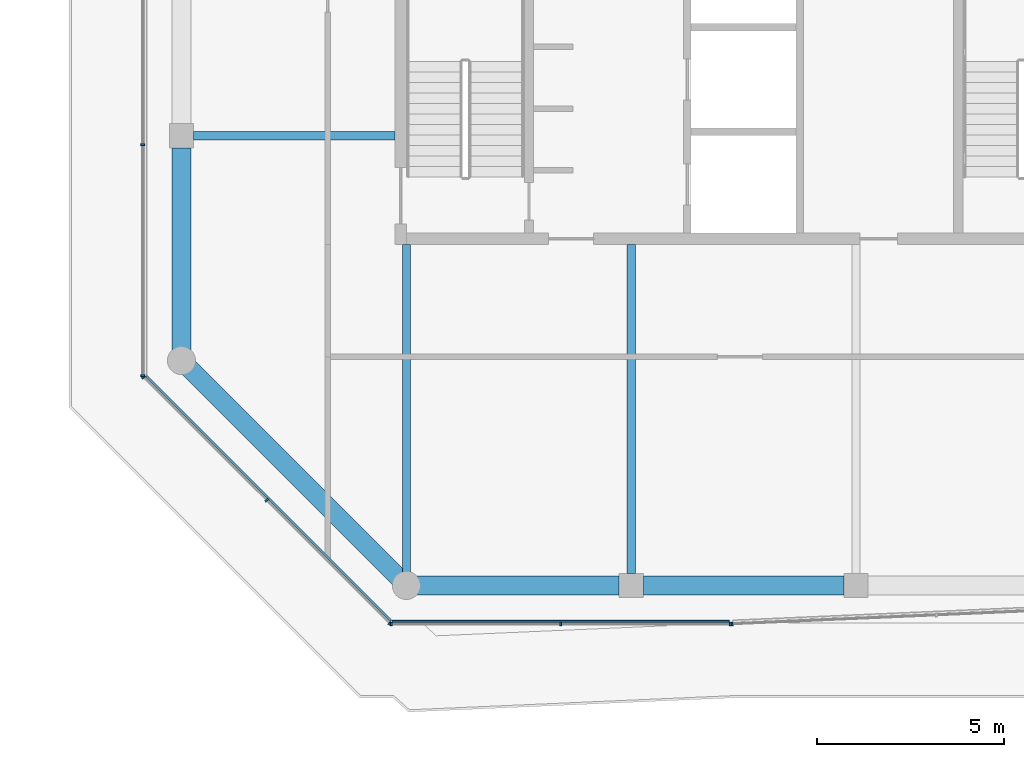
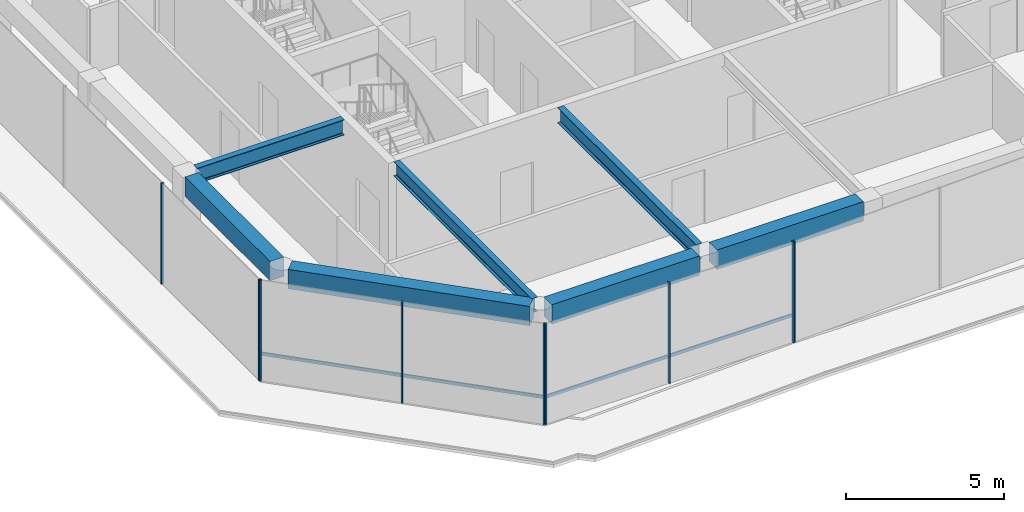
# One storey, part 2 of 19: 11 members, 7 beams, 4 elements without a shape of their own.
"""IFC4 building model written with IfcOpenShell, lengths in metres."""

from ifc_helpers import new_model, si_unit, direction, frame, origin, origin_2d, place, context, subcontext, project, spatial, rectangle, i_section, extrude, material, layer, layer_set, material_profile, profile_set, type_object, element, aggregate, save


model = new_model("IFC4")

# Units and contexts
model_context = context("Model", 3, precision=1e-05, world=origin(), true_north=direction((0.0, 1.0)))
body_context = subcontext(model_context, "Body", "Model", "MODEL_VIEW")
ifc_project = project(units=[si_unit("LENGTHUNIT", "METRE"), si_unit("AREAUNIT", "SQUARE_METRE"), si_unit("VOLUMEUNIT", "CUBIC_METRE"), si_unit("PLANEANGLEUNIT", "RADIAN"), si_unit("MASSUNIT", "GRAM", prefix="KILO")], contexts=[model_context])

# Site, building, storey
site_placement = place(None, origin())
site = spatial("IfcSite", under=ifc_project, at=site_placement, CompositionType="ELEMENT")
building_placement = place(site_placement, origin())
building = spatial("IfcBuilding", under=site, at=building_placement, Name="Welwitschia Terrace Campus", CompositionType="ELEMENT")
storey_placement = place(building_placement, frame((0.0, 0.0, 323.0)))
storey = spatial("IfcBuildingStorey", under=building, at=storey_placement, Name="L72", CompositionType="ELEMENT", Elevation=323.0)

# Beam
ifc_material_1 = material(Name="Steel S355", Category="steel")
ifc_material_profile_1 = material_profile(ifc_material_1, i_section(OverallWidth=0.2099609375, OverallDepth=0.550048828125, WebThickness=0.010986328125, FlangeThickness=0.01708984375, FilletRadius=0.02392578125, at=origin_2d()))
ifc_profile_set_1 = profile_set([ifc_material_profile_1], Name="Steel S355")
beam_type_1 = type_object("IfcBeamType", Name="Interior girder IPE 550", PredefinedType="BEAM", material=ifc_profile_set_1)
beam_1_placement = place(storey_placement, frame((6.0, -3.6494140625, 3.625), z_axis=(0.0, 1.0, 0.0), x_axis=(-1.0, 0.0, 0.0)))
element("IfcBeam", 1, at=beam_1_placement, inside=storey, type_object=beam_type_1, Name="Girder GB7", PredefinedType="BEAM", context=body_context, shape_type="SweptSolid", body=[
    extrude(i_section(OverallWidth=0.2099609375, OverallDepth=0.550048828125, WebThickness=0.010986328125, FlangeThickness=0.01708984375, FilletRadius=0.02392578125, at=origin_2d()), origin(), (0.0, 0.0, 1.0), 8.74853515625),
])

# Curtain wall, members
ifc_material_2 = material(Name="Bronze anodised aluminium", Category="aluminium")
ifc_layer = layer(ifc_material_2, 0.10009765625)
ifc_layer_set = layer_set([ifc_layer], Name="Bronze anodised aluminium")
curtain_wall_type = type_object("IfcCurtainWallType", Name="Curtain wall CW5 crown 6000", PredefinedType="NOTDEFINED", material=ifc_layer_set)
curtain_wall_1_placement = place(storey_placement, origin())
curtain_wall_1 = element("IfcCurtainWall", 2, at=curtain_wall_1_placement, inside=storey, type_object=curtain_wall_type, Name="CW L72.0.0", PredefinedType="NOTDEFINED")
ifc_material_3 = material(Name="Bronze anodised aluminium", Category="aluminium")
ifc_material_profile_2 = material_profile(ifc_material_3, rectangle(XDim=0.10009765625, YDim=0.050048828125, at=origin_2d()))
ifc_profile_set_2 = profile_set([ifc_material_profile_2], Name="Bronze anodised aluminium")
member_type_1 = type_object("IfcMemberType", Name="Mullion 50x100", PredefinedType="MULLION", material=ifc_profile_set_2)
member_1_placement = place(storey_placement, frame((-1.01220703125, 1.5556640625, 0.0), z_axis=(0.0, 0.0, 1.0), x_axis=(0.707106781187, 0.707106781187, 0.0)))
member_1 = element("IfcMember", 3, at=member_1_placement, type_object=member_type_1, Name="Mullion L72.0.0.0", PredefinedType="MULLION", context=body_context, shape_type="SweptSolid", body=[
    extrude(rectangle(XDim=0.10009765625, YDim=0.050048828125, at=origin_2d()), origin(), (0.0, 0.0, 1.0), 3.89990234375),
])
member_2_placement = place(storey_placement, frame((2.271728515625, -1.728271484375, 0.0), z_axis=(0.0, 0.0, 1.0), x_axis=(0.707106781187, 0.707106781187, 0.0)))
member_2 = element("IfcMember", 4, at=member_2_placement, type_object=member_type_1, Name="Mullion L72.0.0.1", PredefinedType="MULLION", context=body_context, shape_type="SweptSolid", body=[
    extrude(rectangle(XDim=0.10009765625, YDim=0.050048828125, at=origin_2d()), origin(), (0.0, 0.0, 1.0), 3.89990234375),
])
member_3_placement = place(storey_placement, frame((5.5556640625, -5.01220703125, 0.0), z_axis=(0.0, 0.0, 1.0), x_axis=(0.707106781187, 0.707106781187, 0.0)))
member_3 = element("IfcMember", 5, at=member_3_placement, type_object=member_type_1, Name="Mullion L72.0.0.2", PredefinedType="MULLION", context=body_context, shape_type="SweptSolid", body=[
    extrude(rectangle(XDim=0.10009765625, YDim=0.050048828125, at=origin_2d()), origin(), (0.0, 0.0, 1.0), 3.89990234375),
])

curtain_wall_2_placement = place(storey_placement, origin())
curtain_wall_2 = element("IfcCurtainWall", 6, at=curtain_wall_2_placement, inside=storey, type_object=curtain_wall_type, Name="CW L72.1.0", PredefinedType="NOTDEFINED")
member_4_placement = place(storey_placement, frame((5.598388671875, -5.030029296875, 0.0), z_axis=(0.0, 0.0, 1.0), x_axis=(0.0, 1.0, 0.0)))
member_4 = element("IfcMember", 7, at=member_4_placement, type_object=member_type_1, Name="Mullion L72.1.0.0", PredefinedType="MULLION", context=body_context, shape_type="SweptSolid", body=[
    extrude(rectangle(XDim=0.10009765625, YDim=0.050048828125, at=origin_2d()), origin(), (0.0, 0.0, 1.0), 3.89990234375),
])
member_5_placement = place(storey_placement, frame((10.11962890625, -5.030029296875, 0.0), z_axis=(0.0, 0.0, 1.0), x_axis=(0.0, 1.0, 0.0)))
member_5 = element("IfcMember", 8, at=member_5_placement, type_object=member_type_1, Name="Mullion L72.1.0.1", PredefinedType="MULLION", context=body_context, shape_type="SweptSolid", body=[
    extrude(rectangle(XDim=0.10009765625, YDim=0.050048828125, at=origin_2d()), origin(), (0.0, 0.0, 1.0), 3.89990234375),
])
member_6_placement = place(storey_placement, frame((14.640869140625, -5.030029296875, 0.0), z_axis=(0.0, 0.0, 1.0), x_axis=(0.0, 1.0, 0.0)))
member_6 = element("IfcMember", 9, at=member_6_placement, type_object=member_type_1, Name="Mullion L72.1.0.2", PredefinedType="MULLION", context=body_context, shape_type="SweptSolid", body=[
    extrude(rectangle(XDim=0.10009765625, YDim=0.050048828125, at=origin_2d()), origin(), (0.0, 0.0, 1.0), 3.89990234375),
])

# Curtain wall, member
curtain_wall_3_placement = place(storey_placement, origin())
curtain_wall_3 = element("IfcCurtainWall", 10, at=curtain_wall_3_placement, inside=storey, type_object=curtain_wall_type, Name="CW L72.2.0", PredefinedType="NOTDEFINED")
member_7_placement = place(storey_placement, frame((14.69091796875, -5.02880859375, 0.0), z_axis=(0.0, 0.0, 1.0), x_axis=(-0.043619387365, 0.999048221582, 0.0)))
member_7 = element("IfcMember", 11, at=member_7_placement, type_object=member_type_1, Name="Mullion L72.2.0.0", PredefinedType="MULLION", context=body_context, shape_type="SweptSolid", body=[
    extrude(rectangle(XDim=0.10009765625, YDim=0.050048828125, at=origin_2d()), origin(), (0.0, 0.0, 1.0), 3.89990234375),
])
aggregate(curtain_wall_3, [member_7])

# Curtain wall, members
curtain_wall_4_placement = place(storey_placement, origin())
curtain_wall_4 = element("IfcCurtainWall", 12, at=curtain_wall_4_placement, inside=storey, type_object=curtain_wall_type, Name="CW L72.9.0", PredefinedType="NOTDEFINED")
member_8_placement = place(storey_placement, frame((-1.030029296875, 7.75537109375, 0.0), z_axis=(0.0, 0.0, 1.0), x_axis=(1.0, 0.0, 0.0)))
member_8 = element("IfcMember", 13, at=member_8_placement, type_object=member_type_1, Name="Mullion L72.9.0.7", PredefinedType="MULLION", context=body_context, shape_type="SweptSolid", body=[
    extrude(rectangle(XDim=0.10009765625, YDim=0.050048828125, at=origin_2d()), origin(), (0.0, 0.0, 1.0), 3.89990234375),
])
member_9_placement = place(storey_placement, frame((-1.030029296875, 1.598388671875, 0.0), z_axis=(0.0, 0.0, 1.0), x_axis=(1.0, 0.0, 0.0)))
member_9 = element("IfcMember", 14, at=member_9_placement, type_object=member_type_1, Name="Mullion L72.9.0.8", PredefinedType="MULLION", context=body_context, shape_type="SweptSolid", body=[
    extrude(rectangle(XDim=0.10009765625, YDim=0.050048828125, at=origin_2d()), origin(), (0.0, 0.0, 1.0), 3.89990234375),
])
aggregate(curtain_wall_4, [member_8, member_9])

# Beams
ifc_material_4 = material(Name="Steel S355", Category="steel")
ifc_material_profile_3 = material_profile(ifc_material_4, i_section(OverallWidth=0.219970703125, OverallDepth=0.60009765625, WebThickness=0.011962890625, FlangeThickness=0.01904296875, FilletRadius=0.02392578125, at=origin_2d()))
ifc_profile_set_3 = profile_set([ifc_material_profile_3], Name="Steel S355")
beam_type_2 = type_object("IfcBeamType", Name="Primary beam IPE 600", PredefinedType="BEAM", material=ifc_profile_set_3)
beam_2_placement = place(storey_placement, frame((12.0, -3.674560546875, 3.60009765625), z_axis=(0.0, 1.0, 0.0), x_axis=(-1.0, 0.0, 0.0)))
element("IfcBeam", 15, at=beam_2_placement, inside=storey, type_object=beam_type_2, Name="Primary beam PB7", PredefinedType="BEAM", context=body_context, shape_type="SweptSolid", body=[
    extrude(i_section(OverallWidth=0.219970703125, OverallDepth=0.60009765625, WebThickness=0.011962890625, FlangeThickness=0.01904296875, FilletRadius=0.02392578125, at=origin_2d()), origin(), (0.0, 0.0, 1.0), 8.774658203125),
])
beam_3_placement = place(storey_placement, frame((0.325439453125, 8.0, 3.60009765625), z_axis=(1.0, 0.0, 0.0), x_axis=(0.0, 1.0, 0.0)))
element("IfcBeam", 16, at=beam_3_placement, inside=storey, type_object=beam_type_2, Name="Primary beam PB7", PredefinedType="BEAM", context=body_context, shape_type="SweptSolid", body=[
    extrude(i_section(OverallWidth=0.219970703125, OverallDepth=0.60009765625, WebThickness=0.011962890625, FlangeThickness=0.01904296875, FilletRadius=0.02392578125, at=origin_2d()), origin(), (0.0, 0.0, 1.0), 5.37451171875),
])
ifc_material_5 = material(Name="Concrete C40/50", Category="concrete")
ifc_material_profile_4 = material_profile(ifc_material_5, rectangle(XDim=0.5, YDim=0.75, at=origin_2d()))
ifc_profile_set_4 = profile_set([ifc_material_profile_4], Name="Concrete C40/50")
beam_type_3 = type_object("IfcBeamType", Name="Ring spandrel 500x750", PredefinedType="SPANDREL", material=ifc_profile_set_4)
beam_4_placement = place(storey_placement, frame((0.1982421875, 1.8017578125, 3.52490234375), z_axis=(0.707106781187, -0.707106781187, 0.0), x_axis=(0.707106781187, 0.707106781187, 0.0)))
element("IfcBeam", 17, at=beam_4_placement, inside=storey, type_object=beam_type_3, Name="Spandrel SP5", PredefinedType="SPANDREL", context=body_context, shape_type="SweptSolid", body=[
    extrude(rectangle(XDim=0.5, YDim=0.75, at=origin_2d()), origin(), (0.0, 0.0, 1.0), 7.924560546875),
])
beam_5_placement = place(storey_placement, frame((6.280517578125, -4.0, 3.52490234375), z_axis=(1.0, 0.0, 0.0), x_axis=(0.0, 1.0, 0.0)))
element("IfcBeam", 18, at=beam_5_placement, inside=storey, type_object=beam_type_3, Name="Spandrel SP5", PredefinedType="SPANDREL", context=body_context, shape_type="SweptSolid", body=[
    extrude(rectangle(XDim=0.5, YDim=0.75, at=origin_2d()), origin(), (0.0, 0.0, 1.0), 5.39404296875),
])
beam_6_placement = place(storey_placement, frame((12.325439453125, -4.0, 3.52490234375), z_axis=(1.0, 0.0, 0.0), x_axis=(0.0, 1.0, 0.0)))
element("IfcBeam", 19, at=beam_6_placement, inside=storey, type_object=beam_type_3, Name="Spandrel SP5", PredefinedType="SPANDREL", context=body_context, shape_type="SweptSolid", body=[
    extrude(rectangle(XDim=0.5, YDim=0.75, at=origin_2d()), origin(), (0.0, 0.0, 1.0), 5.34912109375),
])
beam_7_placement = place(storey_placement, frame((0.0, 7.674560546875, 3.52490234375), z_axis=(0.0, -1.0, 0.0), x_axis=(1.0, 0.0, 0.0)))
element("IfcBeam", 20, at=beam_7_placement, inside=storey, type_object=beam_type_3, Name="Spandrel SP5", PredefinedType="SPANDREL", context=body_context, shape_type="SweptSolid", body=[
    extrude(rectangle(XDim=0.5, YDim=0.75, at=origin_2d()), origin(), (0.0, 0.0, 1.0), 5.39404296875),
])

# Member
ifc_material_6 = material(Name="Bronze anodised aluminium", Category="aluminium")
ifc_material_profile_5 = material_profile(ifc_material_6, rectangle(XDim=0.050048828125, YDim=0.1201171875, at=origin_2d()))
ifc_profile_set_5 = profile_set([ifc_material_profile_5], Name="Bronze anodised aluminium")
member_type_2 = type_object("IfcMemberType", Name="Transom 50x120", PredefinedType="USERDEFINED", material=ifc_profile_set_5)
member_10_placement = place(storey_placement, frame((-0.941650390625, 1.591064453125, 1.0), z_axis=(0.707106781187, -0.707106781187, 0.0), x_axis=(0.707106781187, 0.707106781187, 0.0)))
member_10 = element("IfcMember", 21, at=member_10_placement, type_object=member_type_2, Name="Transom L72.0.0", ObjectType="TRANSOM", PredefinedType="USERDEFINED", context=body_context, shape_type="SweptSolid", body=[
    extrude(rectangle(XDim=0.050048828125, YDim=0.1201171875, at=origin_2d()), origin(), (0.0, 0.0, 1.0), 9.23876953125),
])

aggregate(curtain_wall_1, [member_1, member_2, member_3, member_10])

member_11_placement = place(storey_placement, frame((5.623291015625, -4.955078125, 1.0), z_axis=(1.0, 0.0, 0.0), x_axis=(0.0, 1.0, 0.0)))
member_11 = element("IfcMember", 22, at=member_11_placement, type_object=member_type_2, Name="Transom L72.1.0", ObjectType="TRANSOM", PredefinedType="USERDEFINED", context=body_context, shape_type="SweptSolid", body=[
    extrude(rectangle(XDim=0.050048828125, YDim=0.1201171875, at=origin_2d()), origin(), (0.0, 0.0, 1.0), 8.992431640625),
])

aggregate(curtain_wall_2, [member_4, member_5, member_6, member_11])

save(model, "model.ifc")
